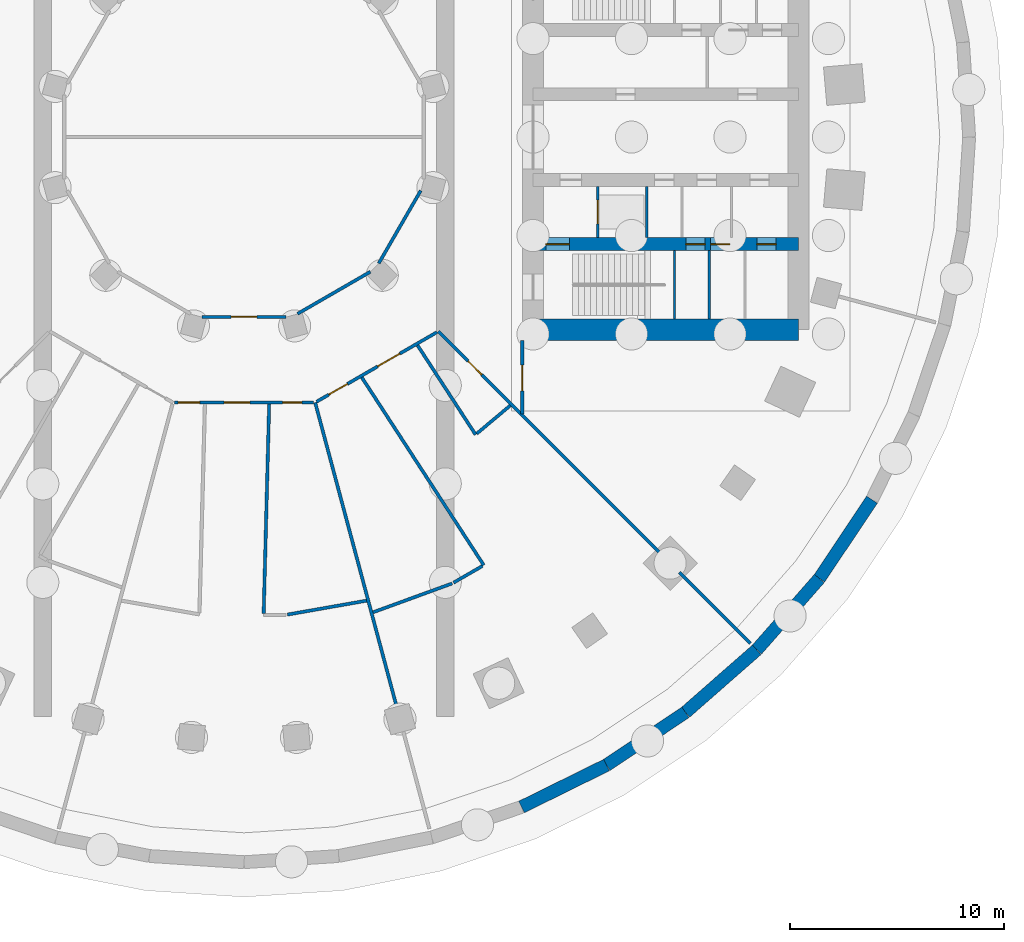
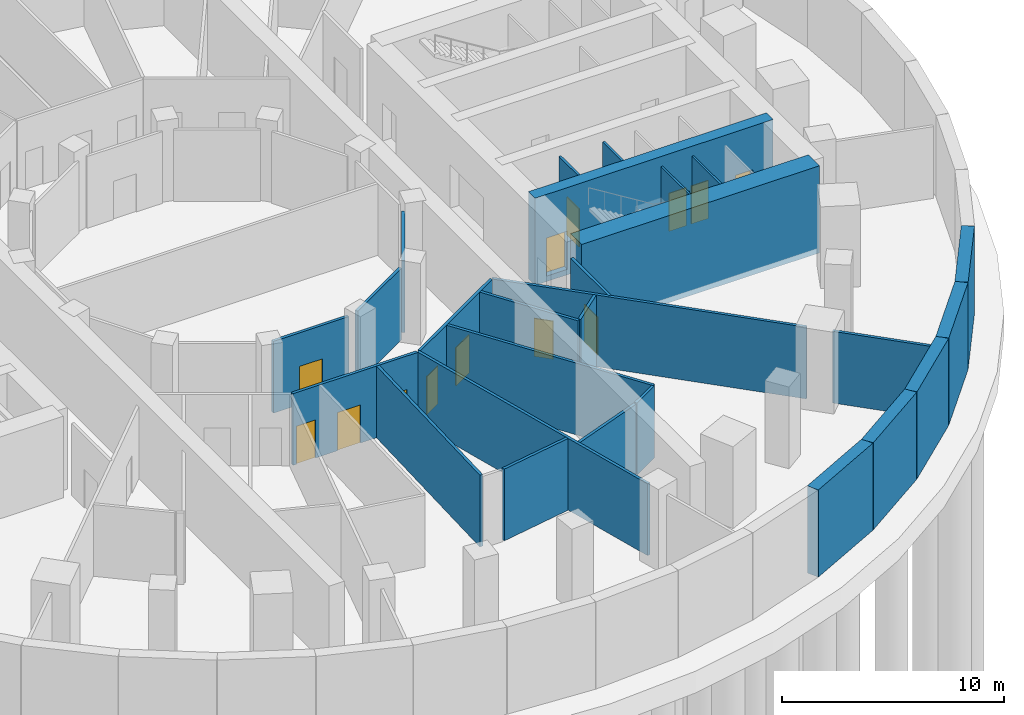
# One storey, part 4 of 10: 27 walls, 13 doors, 13 openings.
"""IFC4 building model written with IfcOpenShell, lengths in metres."""

from ifc_helpers import new_model, si_unit, direction, frame, frame_2d, origin, place, context, subcontext, project, spatial, rectangle, extrude, material, layer, layer_set, type_object, element, fill, save


model = new_model("IFC4")

# Units and contexts
model_context = context("Model", 3, precision=1e-05, world=origin(), true_north=direction((0.0, 1.0)))
body_context = subcontext(model_context, "Body", "Model", "MODEL_VIEW")
ifc_project = project(units=[si_unit("LENGTHUNIT", "METRE"), si_unit("AREAUNIT", "SQUARE_METRE"), si_unit("VOLUMEUNIT", "CUBIC_METRE"), si_unit("PLANEANGLEUNIT", "RADIAN"), si_unit("MASSUNIT", "GRAM", prefix="KILO")], contexts=[model_context])

# Site, building, storey
site_placement = place(None, origin())
site = spatial("IfcSite", under=ifc_project, at=site_placement, CompositionType="ELEMENT")
building_placement = place(site_placement, origin())
building = spatial("IfcBuilding", under=site, at=building_placement, Name="Saqina Gate Tower", CompositionType="ELEMENT")
storey_placement = place(building_placement, frame((0.0, 0.0, -9.0)))
storey = spatial("IfcBuildingStorey", under=building, at=storey_placement, Name="B2", CompositionType="ELEMENT", Elevation=-9.0)

# Wall
ifc_material_1 = material(Name="Gypsum board on steel studs", Category="steel")
ifc_layer_1 = layer(ifc_material_1, 0.10009765625)
ifc_layer_set_1 = layer_set([ifc_layer_1], Name="CORE PARTITION")
wall_type_1 = type_object("IfcWallType", Name="CORE PARTITION", PredefinedType="PARTITIONING", material=ifc_layer_set_1)
wall_1_placement = place(storey_placement, frame((21.73193359375, -8.5, 0.0), z_axis=(0.0, 0.0, 1.0), x_axis=(0.0, 1.0, 0.0)))
element("IfcWall", 1, at=wall_1_placement, inside=storey, type_object=wall_type_1, Name="B2-CP-E10", PredefinedType="PARTITIONING", context=body_context, shape_type="SweptSolid", body=[
    extrude(rectangle(XDim=3.199951171875, YDim=0.10009765625, at=frame_2d((1.60009765625, 0.0))), origin(), (0.0, 0.0, 1.0), 3.949951171875),
])

# Wall, opening, door
ifc_material_2 = material(Name="Autoclaved aerated concrete block", Category="concrete")
ifc_layer_2 = layer(ifc_material_2, 0.1201171875)
ifc_layer_set_2 = layer_set([ifc_layer_2], Name="SHAFT PARTITION")
wall_type_2 = type_object("IfcWallType", Name="SHAFT PARTITION", PredefinedType="PARTITIONING", material=ifc_layer_set_2)
wall_2_placement = place(storey_placement, frame((16.530029296875, -4.699951171875, 0.0), z_axis=(0.0, 0.0, 1.0), x_axis=(0.0, 1.0, 0.0)))
wall_2 = element("IfcWall", 2, at=wall_2_placement, inside=storey, type_object=wall_type_2, Name="B2-CP-E02", PredefinedType="PARTITIONING", context=body_context, shape_type="SweptSolid", body=[
    extrude(rectangle(XDim=2.39990234375, YDim=0.1201171875, at=frame_2d((1.199951171875, 0.0))), origin(), (0.0, 0.0, 1.0), 3.949951171875),
])
opening_1_placement = place(wall_2_placement, frame((0.64990234375, 0.0, 0.0)))
opening_1 = element("IfcOpeningElement", 3, at=opening_1_placement, cuts=wall_2, Name="Opening B2-LD1", PredefinedType="OPENING", context=body_context, shape_type="SweptSolid", body=[
    extrude(rectangle(XDim=1.10009765625, YDim=2.10009765625, at=frame_2d((0.550048828125, 1.050048828125))), frame((0.0, 0.072021484375, 0.0), z_axis=(0.0, -1.0, 0.0), x_axis=(1.0, 0.0, 0.0)), (0.0, 0.0, 1.0), 0.14404296875),
])
ifc_material_3 = material(Name="Stainless steel", Category="steel")
door_type_1 = type_object("IfcDoorType", Name="LANDING DOOR", OperationType="DOUBLE_DOOR_SLIDING", PredefinedType="DOOR", material=ifc_material_3)
door_1_placement = place(opening_1_placement, origin())
door_1 = element("IfcDoor", 4, at=door_1_placement, inside=storey, type_object=door_type_1, Name="LANDING DOOR FF1", OperationType="DOUBLE_DOOR_SLIDING", OverallHeight=2.10009765625, OverallWidth=1.10009765625, PredefinedType="DOOR", context=body_context, shape_type="SweptSolid", body=[
    extrude(rectangle(XDim=1.10009765625, YDim=2.10009765625, at=frame_2d((0.550048828125, 1.050048828125))), frame((0.0, 0.02490234375, 0.0), z_axis=(0.0, -1.0, 0.0), x_axis=(1.0, 0.0, 0.0)), (0.0, 0.0, 1.0), 0.050048828125),
])
fill(opening_1, door_1)

# Wall
wall_3_placement = place(storey_placement, frame((18.81005859375, -4.699951171875, 0.0), z_axis=(0.0, 0.0, 1.0), x_axis=(0.0, 1.0, 0.0)))
element("IfcWall", 5, at=wall_3_placement, inside=storey, type_object=wall_type_2, Name="B2-CP-E03", PredefinedType="PARTITIONING", context=body_context, shape_type="SweptSolid", body=[
    extrude(rectangle(XDim=2.39990234375, YDim=0.1201171875, at=frame_2d((1.199951171875, 0.0))), origin(), (0.0, 0.0, 1.0), 3.949951171875),
])

# Wall, opening, door
ifc_material_4 = material(Name="Gypsum board on steel studs, 150 mm, fire rated", Category="steel")
ifc_layer_3 = layer(ifc_material_4, 0.14990234375)
ifc_layer_set_3 = layer_set([ifc_layer_3], Name="SPECIAL PARTITION EI 30 150")
wall_type_3 = type_object("IfcWallType", Name="SPECIAL PARTITION EI 30 150", PredefinedType="PARTITIONING", material=ifc_layer_set_3)
wall_4_placement = place(storey_placement, frame((13.0, -12.925048828125, 0.0), z_axis=(0.0, 0.0, 1.0), x_axis=(0.0, 1.0, 0.0)))
wall_4 = element("IfcWall", 6, at=wall_4_placement, inside=storey, type_object=wall_type_3, Name="PARTITION 069", PredefinedType="PARTITIONING", context=body_context, shape_type="SweptSolid", body=[
    extrude(rectangle(XDim=3.425048828125, YDim=0.14990234375, at=frame_2d((1.71240234375, 0.0))), origin(), (0.0, 0.0, 1.0), 3.949951171875),
])
opening_2_placement = place(wall_4_placement, frame((1.074951171875, 0.0, 0.0)))
opening_2 = element("IfcOpeningElement", 7, at=opening_2_placement, cuts=wall_4, Name="Opening B2-D26", PredefinedType="OPENING", context=body_context, shape_type="SweptSolid", body=[
    extrude(rectangle(XDim=1.199951171875, YDim=2.10009765625, at=frame_2d((0.60009765625, 1.050048828125))), frame((0.0, 0.0869140625, 0.0), z_axis=(0.0, -1.0, 0.0), x_axis=(1.0, 0.0, 0.0)), (0.0, 0.0, 1.0), 0.173828125),
])
ifc_material_5 = material(Name="Steel-framed fire door leaf, EI 30", Category="steel")
door_type_2 = type_object("IfcDoorType", Name="SPECIAL DOOR 1200 FIRE EI 30", OperationType="SINGLE_SWING_LEFT", PredefinedType="DOOR", material=ifc_material_5)
door_2_placement = place(opening_2_placement, origin())
door_2 = element("IfcDoor", 8, at=door_2_placement, inside=storey, type_object=door_type_2, Name="DOOR B2-D26", OperationType="SINGLE_SWING_LEFT", OverallHeight=2.10009765625, OverallWidth=1.199951171875, PredefinedType="DOOR", context=body_context, shape_type="SweptSolid", body=[
    extrude(rectangle(XDim=1.199951171875, YDim=2.10009765625, at=frame_2d((0.60009765625, 1.050048828125))), frame((0.0, 0.02490234375, 0.0), z_axis=(0.0, -1.0, 0.0), x_axis=(1.0, 0.0, 0.0)), (0.0, 0.0, 1.0), 0.050048828125),
])
fill(opening_2, door_2)

# Walls
ifc_material_6 = material(Name="Masonry block and plaster, 150 mm, fire rated", Category="masonry")
ifc_layer_4 = layer(ifc_material_6, 0.14990234375)
ifc_layer_set_4 = layer_set([ifc_layer_4], Name="SPECIAL PARTITION EI 60 150")
wall_type_4 = type_object("IfcWallType", Name="SPECIAL PARTITION EI 60 150", PredefinedType="PARTITIONING", material=ifc_layer_set_4)
wall_5_placement = place(storey_placement, frame((3.322998046875, -12.39990234375, 0.0), z_axis=(0.0, 0.0, 1.0), x_axis=(0.258778692841, -0.965936637742, 0.0)))
element("IfcWall", 9, at=wall_5_placement, inside=storey, type_object=wall_type_4, Name="PARTITION 004", PredefinedType="PARTITIONING", context=body_context, shape_type="SweptSolid", body=[
    extrude(rectangle(XDim=14.702392578125, YDim=0.14990234375, at=frame_2d((7.35107421875, 0.0))), origin(), (0.0, 0.0, 1.0), 3.949951171875),
])
wall_6_placement = place(storey_placement, frame((5.502685546875, -11.227783203125, 0.0), z_axis=(0.0, 0.0, 1.0), x_axis=(0.544608428061, -0.83869044354, 0.0)))
element("IfcWall", 10, at=wall_6_placement, inside=storey, type_object=wall_type_4, Name="PARTITION 010", PredefinedType="PARTITIONING", context=body_context, shape_type="SweptSolid", body=[
    extrude(rectangle(XDim=10.45947265625, YDim=0.14990234375, at=frame_2d((5.229736328125, 0.0))), origin(), (0.0, 0.0, 1.0), 3.949951171875),
])
wall_7_placement = place(storey_placement, frame((8.10400390625, -9.725341796875, 0.0), z_axis=(0.0, 0.0, 1.0), x_axis=(0.544631430176, -0.838675506537, 0.0)))
element("IfcWall", 11, at=wall_7_placement, inside=storey, type_object=wall_type_4, Name="PARTITION 011", PredefinedType="PARTITIONING", context=body_context, shape_type="SweptSolid", body=[
    extrude(rectangle(XDim=4.9775390625, YDim=0.14990234375, at=frame_2d((2.48876953125, 0.0))), origin(), (0.0, 0.0, 1.0), 3.949951171875),
])

# Wall, opening, door
wall_8_placement = place(storey_placement, frame((9.076904296875, -9.076904296875, 0.0), z_axis=(0.0, 0.0, 1.0), x_axis=(0.707106781187, -0.707106781187, 0.0)))
wall_8 = element("IfcWall", 12, at=wall_8_placement, inside=storey, type_object=wall_type_4, Name="PARTITION 014", PredefinedType="PARTITIONING", context=body_context, shape_type="SweptSolid", body=[
    extrude(rectangle(XDim=14.703125, YDim=0.14990234375, at=frame_2d((7.3515625, 0.0))), origin(), (0.0, 0.0, 1.0), 3.949951171875),
])
opening_3_placement = place(wall_8_placement, frame((1.965576171875, 0.0, 0.0)))
opening_3 = element("IfcOpeningElement", 13, at=opening_3_placement, cuts=wall_8, Name="Opening B2-D25", PredefinedType="OPENING", context=body_context, shape_type="SweptSolid", body=[
    extrude(rectangle(XDim=0.89990234375, YDim=2.10009765625, at=frame_2d((0.449951171875, 1.050048828125))), frame((0.0, 0.0869140625, 0.0), z_axis=(0.0, -1.0, 0.0), x_axis=(1.0, 0.0, 0.0)), (0.0, 0.0, 1.0), 0.173828125),
])
ifc_material_7 = material(Name="Steel-framed fire door leaf, EI 60", Category="steel")
door_type_3 = type_object("IfcDoorType", Name="SPECIAL DOOR 900 FIRE EI 60", OperationType="SINGLE_SWING_LEFT", PredefinedType="DOOR", material=ifc_material_7)
door_3_placement = place(opening_3_placement, frame((0.89990234375, 0.0, 0.0), z_axis=(0.0, 0.0, 1.0), x_axis=(-1.0, 0.0, 0.0)))
door_3 = element("IfcDoor", 14, at=door_3_placement, inside=storey, type_object=door_type_3, Name="DOOR B2-D25", OperationType="SINGLE_SWING_RIGHT", OverallHeight=2.10009765625, OverallWidth=0.89990234375, PredefinedType="DOOR", context=body_context, shape_type="SweptSolid", body=[
    extrude(rectangle(XDim=0.89990234375, YDim=2.10009765625, at=frame_2d((0.449951171875, 1.050048828125))), frame((0.0, 0.02490234375, 0.0), z_axis=(0.0, -1.0, 0.0), x_axis=(1.0, 0.0, 0.0)), (0.0, 0.0, 1.0), 0.050048828125),
])
fill(opening_3, door_3)

# Wall
wall_9_placement = place(storey_placement, frame((20.33642578125, -20.33642578125, 0.0), z_axis=(0.0, 0.0, 1.0), x_axis=(0.707106781187, -0.707106781187, 0.0)))
element("IfcWall", 15, at=wall_9_placement, inside=storey, type_object=wall_type_4, Name="PARTITION 015", PredefinedType="PARTITIONING", context=body_context, shape_type="SweptSolid", body=[
    extrude(rectangle(XDim=4.687255859375, YDim=0.14990234375, at=frame_2d((2.34375, 0.0))), origin(), (0.0, 0.0, 1.0), 3.949951171875),
])

# Wall, openings, doors
wall_10_placement = place(storey_placement, frame((-3.248046875, -12.39990234375, 0.0), z_axis=(0.0, 0.0, 1.0), x_axis=(1.0, 0.0, 0.0)))
wall_10 = element("IfcWall", 16, at=wall_10_placement, inside=storey, type_object=wall_type_4, Name="PARTITION 032", PredefinedType="PARTITIONING", context=body_context, shape_type="SweptSolid", body=[
    extrude(rectangle(XDim=6.49609375, YDim=0.14990234375, at=frame_2d((3.248046875, 0.0))), origin(), (0.0, 0.0, 1.0), 3.949951171875),
])
opening_4_placement = place(wall_10_placement, frame((0.174072265625, 0.0, 0.0)))
opening_4 = element("IfcOpeningElement", 17, at=opening_4_placement, cuts=wall_10, Name="Opening B2-D19", PredefinedType="OPENING", context=body_context, shape_type="SweptSolid", body=[
    extrude(rectangle(XDim=1.0, YDim=2.10009765625, at=frame_2d((0.5, 1.050048828125))), frame((0.0, 0.0869140625, 0.0), z_axis=(0.0, -1.0, 0.0), x_axis=(1.0, 0.0, 0.0)), (0.0, 0.0, 1.0), 0.173828125),
])
opening_5_placement = place(wall_10_placement, frame((2.323486328125, 0.0, 0.0)))
opening_5 = element("IfcOpeningElement", 18, at=opening_5_placement, cuts=wall_10, Name="Opening B2-D20", PredefinedType="OPENING", context=body_context, shape_type="SweptSolid", body=[
    extrude(rectangle(XDim=1.199951171875, YDim=2.10009765625, at=frame_2d((0.60009765625, 1.050048828125))), frame((0.0, 0.0869140625, 0.0), z_axis=(0.0, -1.0, 0.0), x_axis=(1.0, 0.0, 0.0)), (0.0, 0.0, 1.0), 0.173828125),
])
opening_6_placement = place(wall_10_placement, frame((5.047607421875, 0.0, 0.0)))
opening_6 = element("IfcOpeningElement", 19, at=opening_6_placement, cuts=wall_10, Name="Opening B2-D22", PredefinedType="OPENING", context=body_context, shape_type="SweptSolid", body=[
    extrude(rectangle(XDim=0.89990234375, YDim=2.10009765625, at=frame_2d((0.449951171875, 1.050048828125))), frame((0.0, 0.0869140625, 0.0), z_axis=(0.0, -1.0, 0.0), x_axis=(1.0, 0.0, 0.0)), (0.0, 0.0, 1.0), 0.173828125),
])
ifc_material_8 = material(Name="Steel-framed fire door leaf, EI 60", Category="steel")
door_type_4 = type_object("IfcDoorType", Name="SPECIAL DOOR 1000 FIRE EI 60", OperationType="SINGLE_SWING_LEFT", PredefinedType="DOOR", material=ifc_material_8)
door_4_placement = place(opening_4_placement, frame((1.0, 0.0, 0.0), z_axis=(0.0, 0.0, 1.0), x_axis=(-1.0, 0.0, 0.0)))
door_4 = element("IfcDoor", 20, at=door_4_placement, inside=storey, type_object=door_type_4, Name="DOOR B2-D19", OperationType="SINGLE_SWING_RIGHT", OverallHeight=2.10009765625, OverallWidth=1.0, PredefinedType="DOOR", context=body_context, shape_type="SweptSolid", body=[
    extrude(rectangle(XDim=1.0, YDim=2.10009765625, at=frame_2d((0.5, 1.050048828125))), frame((0.0, 0.02490234375, 0.0), z_axis=(0.0, -1.0, 0.0), x_axis=(1.0, 0.0, 0.0)), (0.0, 0.0, 1.0), 0.050048828125),
])
fill(opening_4, door_4)
ifc_material_9 = material(Name="Steel-framed fire door leaf, EI 60", Category="steel")
door_type_5 = type_object("IfcDoorType", Name="SPECIAL DOOR 1200 FIRE EI 60", OperationType="SINGLE_SWING_LEFT", PredefinedType="DOOR", material=ifc_material_9)
door_5_placement = place(opening_5_placement, origin())
door_5 = element("IfcDoor", 21, at=door_5_placement, inside=storey, type_object=door_type_5, Name="DOOR B2-D20", OperationType="SINGLE_SWING_LEFT", OverallHeight=2.10009765625, OverallWidth=1.199951171875, PredefinedType="DOOR", context=body_context, shape_type="SweptSolid", body=[
    extrude(rectangle(XDim=1.199951171875, YDim=2.10009765625, at=frame_2d((0.60009765625, 1.050048828125))), frame((0.0, 0.02490234375, 0.0), z_axis=(0.0, -1.0, 0.0), x_axis=(1.0, 0.0, 0.0)), (0.0, 0.0, 1.0), 0.050048828125),
])
fill(opening_5, door_5)
door_6_placement = place(opening_6_placement, frame((0.89990234375, 0.0, 0.0), z_axis=(0.0, 0.0, 1.0), x_axis=(-1.0, 0.0, 0.0)))
door_6 = element("IfcDoor", 22, at=door_6_placement, inside=storey, type_object=door_type_3, Name="DOOR B2-D22", OperationType="SINGLE_SWING_RIGHT", OverallHeight=2.10009765625, OverallWidth=0.89990234375, PredefinedType="DOOR", context=body_context, shape_type="SweptSolid", body=[
    extrude(rectangle(XDim=0.89990234375, YDim=2.10009765625, at=frame_2d((0.449951171875, 1.050048828125))), frame((0.0, 0.02490234375, 0.0), z_axis=(0.0, -1.0, 0.0), x_axis=(1.0, 0.0, 0.0)), (0.0, 0.0, 1.0), 0.050048828125),
])
fill(opening_6, door_6)

# Wall, opening, door
wall_11_placement = place(storey_placement, frame((-1.96435546875, -8.39990234375, 0.0), z_axis=(0.0, 0.0, 1.0), x_axis=(1.0, 0.0, 0.0)))
wall_11 = element("IfcWall", 23, at=wall_11_placement, inside=storey, type_object=wall_type_4, Name="PARTITION 033", PredefinedType="PARTITIONING", context=body_context, shape_type="SweptSolid", body=[
    extrude(rectangle(XDim=3.9287109375, YDim=0.14990234375, at=frame_2d((1.96435546875, 0.0))), origin(), (0.0, 0.0, 1.0), 3.949951171875),
])
opening_7_placement = place(wall_11_placement, frame((1.364501953125, 0.0, 0.0)))
opening_7 = element("IfcOpeningElement", 24, at=opening_7_placement, cuts=wall_11, Name="Opening B2-D21", PredefinedType="OPENING", context=body_context, shape_type="SweptSolid", body=[
    extrude(rectangle(XDim=1.199951171875, YDim=2.10009765625, at=frame_2d((0.60009765625, 1.050048828125))), frame((0.0, 0.0869140625, 0.0), z_axis=(0.0, -1.0, 0.0), x_axis=(1.0, 0.0, 0.0)), (0.0, 0.0, 1.0), 0.173828125),
])
door_7_placement = place(opening_7_placement, frame((1.199951171875, 0.0, 0.0), z_axis=(0.0, 0.0, 1.0), x_axis=(-1.0, 0.0, 0.0)))
door_7 = element("IfcDoor", 25, at=door_7_placement, inside=storey, type_object=door_type_5, Name="DOOR B2-D21", OperationType="SINGLE_SWING_LEFT", OverallHeight=2.10009765625, OverallWidth=1.199951171875, PredefinedType="DOOR", context=body_context, shape_type="SweptSolid", body=[
    extrude(rectangle(XDim=1.199951171875, YDim=2.10009765625, at=frame_2d((0.60009765625, 1.050048828125))), frame((0.0, 0.02490234375, 0.0), z_axis=(0.0, -1.0, 0.0), x_axis=(1.0, 0.0, 0.0)), (0.0, 0.0, 1.0), 0.050048828125),
])
fill(opening_7, door_7)

# Walls
wall_12_placement = place(storey_placement, frame((2.02685546875, -22.306884765625, 0.0), z_axis=(0.0, 0.0, 1.0), x_axis=(0.984818881161, 0.173585054971, 0.0)))
element("IfcWall", 26, at=wall_12_placement, inside=storey, type_object=wall_type_4, Name="PARTITION 039", PredefinedType="PARTITIONING", context=body_context, shape_type="SweptSolid", body=[
    extrude(rectangle(XDim=3.75537109375, YDim=0.14990234375, at=frame_2d((1.877685546875, 0.0))), origin(), (0.0, 0.0, 1.0), 3.949951171875),
])
wall_13_placement = place(storey_placement, frame((6.025390625, -22.1982421875, 0.0), z_axis=(0.0, 0.0, 1.0), x_axis=(0.9396592995, 0.342111678933, 0.0)))
element("IfcWall", 27, at=wall_13_placement, inside=storey, type_object=wall_type_4, Name="PARTITION 043", PredefinedType="PARTITIONING", context=body_context, shape_type="SweptSolid", body=[
    extrude(rectangle(XDim=3.93505859375, YDim=0.14990234375, at=frame_2d((1.967529296875, 0.0))), origin(), (0.0, 0.0, 1.0), 3.949951171875),
])
wall_14_placement = place(storey_placement, frame((9.7880859375, -20.814453125, 0.0), z_axis=(0.0, 0.0, 1.0), x_axis=(0.866088799389, 0.499890179513, 0.0)))
element("IfcWall", 28, at=wall_14_placement, inside=storey, type_object=wall_type_4, Name="PARTITION 045", PredefinedType="PARTITIONING", context=body_context, shape_type="SweptSolid", body=[
    extrude(rectangle(XDim=1.553955078125, YDim=0.14990234375, at=frame_2d((0.77685546875, 0.0))), origin(), (0.0, 0.0, 1.0), 3.949951171875),
])

# Wall, openings, doors
wall_15_placement = place(storey_placement, frame((3.387939453125, -12.362548828125, 0.0), z_axis=(0.0, 0.0, 1.0), x_axis=(0.865967095912, 0.5001009786, 0.0)))
wall_15 = element("IfcWall", 29, at=wall_15_placement, inside=storey, type_object=wall_type_4, Name="PARTITION 046", PredefinedType="PARTITIONING", context=body_context, shape_type="SweptSolid", body=[
    extrude(rectangle(XDim=6.494873046875, YDim=0.14990234375, at=frame_2d((3.24755859375, 0.0))), origin(), (0.0, 0.0, 1.0), 3.949951171875),
])
opening_8_placement = place(wall_15_placement, frame((0.659912109375, 0.0, 0.0)))
opening_8 = element("IfcOpeningElement", 30, at=opening_8_placement, cuts=wall_15, Name="Opening B2-D23", PredefinedType="OPENING", context=body_context, shape_type="SweptSolid", body=[
    extrude(rectangle(XDim=1.0, YDim=2.10009765625, at=frame_2d((0.5, 1.050048828125))), frame((0.0, 0.0869140625, 0.0), z_axis=(0.0, -1.0, 0.0), x_axis=(1.0, 0.0, 0.0)), (0.0, 0.0, 1.0), 0.173828125),
])
opening_9_placement = place(wall_15_placement, frame((3.296875, 0.0, 0.0)))
opening_9 = element("IfcOpeningElement", 31, at=opening_9_placement, cuts=wall_15, Name="Opening B2-D24", PredefinedType="OPENING", context=body_context, shape_type="SweptSolid", body=[
    extrude(rectangle(XDim=1.199951171875, YDim=2.10009765625, at=frame_2d((0.60009765625, 1.050048828125))), frame((0.0, 0.0869140625, 0.0), z_axis=(0.0, -1.0, 0.0), x_axis=(1.0, 0.0, 0.0)), (0.0, 0.0, 1.0), 0.173828125),
])
door_8_placement = place(opening_8_placement, frame((1.0, 0.0, 0.0), z_axis=(0.0, 0.0, 1.0), x_axis=(-1.0, 0.0, 0.0)))
door_8 = element("IfcDoor", 32, at=door_8_placement, inside=storey, type_object=door_type_4, Name="DOOR B2-D23", OperationType="SINGLE_SWING_RIGHT", OverallHeight=2.10009765625, OverallWidth=1.0, PredefinedType="DOOR", context=body_context, shape_type="SweptSolid", body=[
    extrude(rectangle(XDim=1.0, YDim=2.10009765625, at=frame_2d((0.5, 1.050048828125))), frame((0.0, 0.02490234375, 0.0), z_axis=(0.0, -1.0, 0.0), x_axis=(1.0, 0.0, 0.0)), (0.0, 0.0, 1.0), 0.050048828125),
])
fill(opening_8, door_8)
door_9_placement = place(opening_9_placement, origin())
door_9 = element("IfcDoor", 33, at=door_9_placement, inside=storey, type_object=door_type_5, Name="DOOR B2-D24", OperationType="SINGLE_SWING_RIGHT", OverallHeight=2.10009765625, OverallWidth=1.199951171875, PredefinedType="DOOR", context=body_context, shape_type="SweptSolid", body=[
    extrude(rectangle(XDim=1.199951171875, YDim=2.10009765625, at=frame_2d((0.60009765625, 1.050048828125))), frame((0.0, 0.02490234375, 0.0), z_axis=(0.0, -1.0, 0.0), x_axis=(1.0, 0.0, 0.0)), (0.0, 0.0, 1.0), 0.050048828125),
])
fill(opening_9, door_9)

# Walls
wall_16_placement = place(storey_placement, frame((2.4990234375, -8.256591796875, 0.0), z_axis=(0.0, 0.0, 1.0), x_axis=(0.865990036525, 0.500061252887, 0.0)))
element("IfcWall", 34, at=wall_16_placement, inside=storey, type_object=wall_type_4, Name="PARTITION 047", PredefinedType="PARTITIONING", context=body_context, shape_type="SweptSolid", body=[
    extrude(rectangle(XDim=3.9296875, YDim=0.14990234375, at=frame_2d((1.96484375, 0.0))), origin(), (0.0, 0.0, 1.0), 3.949951171875),
])
wall_17_placement = place(storey_placement, frame((10.87255859375, -13.851806640625, 0.0), z_axis=(0.0, 0.0, 1.0), x_axis=(0.766275182877, 0.642512524474, 0.0)))
element("IfcWall", 35, at=wall_17_placement, inside=storey, type_object=wall_type_4, Name="PARTITION 051", PredefinedType="PARTITIONING", context=body_context, shape_type="SweptSolid", body=[
    extrude(rectangle(XDim=2.039794921875, YDim=0.14990234375, at=frame_2d((1.02001953125, 0.0))), origin(), (0.0, 0.0, 1.0), 3.949951171875),
])
wall_18_placement = place(storey_placement, frame((6.29150390625, -5.902099609375, 0.0), z_axis=(0.0, 0.0, 1.0), x_axis=(0.500061252887, 0.865990036525, 0.0)))
element("IfcWall", 36, at=wall_18_placement, inside=storey, type_object=wall_type_4, Name="PARTITION 059", PredefinedType="PARTITIONING", context=body_context, shape_type="SweptSolid", body=[
    extrude(rectangle(XDim=3.9296875, YDim=0.14990234375, at=frame_2d((1.96484375, 0.0))), origin(), (0.0, 0.0, 1.0), 3.949951171875),
])
wall_19_placement = place(storey_placement, frame((0.91796875, -22.2451171875, 0.0), z_axis=(0.0, 0.0, 1.0), x_axis=(0.02620420273, 0.999656610922, 0.0)))
element("IfcWall", 37, at=wall_19_placement, inside=storey, type_object=wall_type_4, Name="PARTITION 067", PredefinedType="PARTITIONING", context=body_context, shape_type="SweptSolid", body=[
    extrude(rectangle(XDim=9.7734375, YDim=0.14990234375, at=frame_2d((4.88671875, 0.0))), origin(), (0.0, 0.0, 1.0), 3.949951171875),
])
ifc_material_10 = material(Name="Autoclaved aerated concrete block", Category="concrete")
ifc_layer_5 = layer(ifc_material_10, 0.10009765625)
ifc_layer_set_5 = layer_set([ifc_layer_5], Name="STAIR ENCLOSURE WALL")
wall_type_5 = type_object("IfcWallType", Name="STAIR ENCLOSURE WALL", PredefinedType="PARTITIONING", material=ifc_layer_set_5)
wall_20_placement = place(storey_placement, frame((20.110107421875, -8.5, 0.0), z_axis=(0.0, 0.0, 1.0), x_axis=(0.0, 1.0, 0.0)))
element("IfcWall", 38, at=wall_20_placement, inside=storey, type_object=wall_type_5, Name="B2-CP-E09", PredefinedType="PARTITIONING", context=body_context, shape_type="SweptSolid", body=[
    extrude(rectangle(XDim=3.199951171875, YDim=0.10009765625, at=frame_2d((1.60009765625, 0.0))), origin(), (0.0, 0.0, 1.0), 3.949951171875),
])

# Wall, openings, doors
ifc_material_11 = material(Name="Concrete C70/85", Category="concrete")
ifc_layer_6 = layer(ifc_material_11, 0.60009765625)
ifc_layer_set_6 = layer_set([ifc_layer_6], Name="Concrete C70/85")
wall_type_6 = type_object("IfcWallType", Name="STR-CORE WALL-P-I", PredefinedType="SHEAR", material=ifc_layer_set_6)
wall_21_placement = place(storey_placement, frame((13.5, -5.0, -0.300048828125), z_axis=(0.0, 0.0, 1.0), x_axis=(1.0, 0.0, 0.0)))
wall_21 = element("IfcWall", 39, at=wall_21_placement, inside=storey, type_object=wall_type_6, Name="CORE WALL B2 E-X2", PredefinedType="SHEAR", context=body_context, shape_type="SweptSolid", body=[
    extrude(rectangle(XDim=12.39990234375, YDim=0.60009765625, at=frame_2d((6.199951171875, 0.0))), origin(), (0.0, 0.0, 1.0), 4.800048828125),
])
opening_10_placement = place(wall_21_placement, frame((7.144775390625, 0.0, 0.300048828125)))
opening_10 = element("IfcOpeningElement", 40, at=opening_10_placement, cuts=wall_21, Name="Opening B2-D99", PredefinedType="OPENING", context=body_context, shape_type="SweptSolid", body=[
    extrude(rectangle(XDim=0.89990234375, YDim=2.10009765625, at=frame_2d((0.449951171875, 1.050048828125))), frame((0.0, 0.31201171875, 0.0), z_axis=(0.0, -1.0, 0.0), x_axis=(1.0, 0.0, 0.0)), (0.0, 0.0, 1.0), 0.6240234375),
])
opening_11_placement = place(wall_21_placement, frame((8.298095703125, 0.0, 0.300048828125)))
opening_11 = element("IfcOpeningElement", 41, at=opening_11_placement, cuts=wall_21, Name="Opening B2-D100", PredefinedType="OPENING", context=body_context, shape_type="SweptSolid", body=[
    extrude(rectangle(XDim=0.89990234375, YDim=2.10009765625, at=frame_2d((0.449951171875, 1.050048828125))), frame((0.0, 0.31201171875, 0.0), z_axis=(0.0, -1.0, 0.0), x_axis=(1.0, 0.0, 0.0)), (0.0, 0.0, 1.0), 0.6240234375),
])
opening_12_placement = place(wall_21_placement, frame((10.454345703125, 0.0, 0.300048828125)))
opening_12 = element("IfcOpeningElement", 42, at=opening_12_placement, cuts=wall_21, Name="Opening B2-D101", PredefinedType="OPENING", context=body_context, shape_type="SweptSolid", body=[
    extrude(rectangle(XDim=0.89990234375, YDim=2.10009765625, at=frame_2d((0.449951171875, 1.050048828125))), frame((0.0, 0.31201171875, 0.0), z_axis=(0.0, -1.0, 0.0), x_axis=(1.0, 0.0, 0.0)), (0.0, 0.0, 1.0), 0.6240234375),
])
opening_13_placement = place(wall_21_placement, frame((0.60009765625, 0.0, 0.300048828125)))
opening_13 = element("IfcOpeningElement", 43, at=opening_13_placement, cuts=wall_21, Name="Opening B2-D102", PredefinedType="OPENING", context=body_context, shape_type="SweptSolid", body=[
    extrude(rectangle(XDim=1.10009765625, YDim=2.10009765625, at=frame_2d((0.550048828125, 1.050048828125))), frame((0.0, 0.31201171875, 0.0), z_axis=(0.0, -1.0, 0.0), x_axis=(1.0, 0.0, 0.0)), (0.0, 0.0, 1.0), 0.6240234375),
])
ifc_material_12 = material(Name="Steel", Category="steel")
door_type_6 = type_object("IfcDoorType", Name="FIRE LOBBY DOOR EI 60 WIDE", OperationType="SINGLE_SWING_LEFT", PredefinedType="DOOR", material=ifc_material_12)
door_10_placement = place(opening_13_placement, frame((1.10009765625, 0.0, 0.0), z_axis=(0.0, 0.0, 1.0), x_axis=(-1.0, 0.0, 0.0)))
door_10 = element("IfcDoor", 44, at=door_10_placement, inside=storey, type_object=door_type_6, Name="B2-CD-E13", OperationType="SINGLE_SWING_RIGHT", OverallHeight=2.10009765625, OverallWidth=1.10009765625, PredefinedType="DOOR", context=body_context, shape_type="SweptSolid", body=[
    extrude(rectangle(XDim=1.10009765625, YDim=2.10009765625, at=frame_2d((0.550048828125, 1.050048828125))), frame((0.0, 0.02490234375, 0.0), z_axis=(0.0, -1.0, 0.0), x_axis=(1.0, 0.0, 0.0)), (0.0, 0.0, 1.0), 0.050048828125),
])
fill(opening_13, door_10)
ifc_material_13 = material(Name="Steel-framed fire door leaf, EI 60", Category="steel")
door_type_7 = type_object("IfcDoorType", Name="SERVICE ROOM DOOR 900", OperationType="SINGLE_SWING_LEFT", PredefinedType="DOOR", material=ifc_material_13)
door_11_placement = place(opening_10_placement, origin())
door_11 = element("IfcDoor", 45, at=door_11_placement, inside=storey, type_object=door_type_7, Name="B2-CD-E10", OperationType="SINGLE_SWING_LEFT", OverallHeight=2.10009765625, OverallWidth=0.89990234375, PredefinedType="DOOR", context=body_context, shape_type="SweptSolid", body=[
    extrude(rectangle(XDim=0.89990234375, YDim=2.10009765625, at=frame_2d((0.449951171875, 1.050048828125))), frame((0.0, 0.02490234375, 0.0), z_axis=(0.0, -1.0, 0.0), x_axis=(1.0, 0.0, 0.0)), (0.0, 0.0, 1.0), 0.050048828125),
])
fill(opening_10, door_11)
door_12_placement = place(opening_11_placement, origin())
door_12 = element("IfcDoor", 46, at=door_12_placement, inside=storey, type_object=door_type_7, Name="B2-CD-E11", OperationType="SINGLE_SWING_RIGHT", OverallHeight=2.10009765625, OverallWidth=0.89990234375, PredefinedType="DOOR", context=body_context, shape_type="SweptSolid", body=[
    extrude(rectangle(XDim=0.89990234375, YDim=2.10009765625, at=frame_2d((0.449951171875, 1.050048828125))), frame((0.0, 0.02490234375, 0.0), z_axis=(0.0, -1.0, 0.0), x_axis=(1.0, 0.0, 0.0)), (0.0, 0.0, 1.0), 0.050048828125),
])
fill(opening_11, door_12)
door_13_placement = place(opening_12_placement, frame((0.89990234375, 0.0, 0.0), z_axis=(0.0, 0.0, 1.0), x_axis=(-1.0, 0.0, 0.0)))
door_13 = element("IfcDoor", 47, at=door_13_placement, inside=storey, type_object=door_type_7, Name="B2-CD-E12", OperationType="SINGLE_SWING_RIGHT", OverallHeight=2.10009765625, OverallWidth=0.89990234375, PredefinedType="DOOR", context=body_context, shape_type="SweptSolid", body=[
    extrude(rectangle(XDim=0.89990234375, YDim=2.10009765625, at=frame_2d((0.449951171875, 1.050048828125))), frame((0.0, 0.02490234375, 0.0), z_axis=(0.0, -1.0, 0.0), x_axis=(1.0, 0.0, 0.0)), (0.0, 0.0, 1.0), 0.050048828125),
])
fill(opening_12, door_13)

# Walls
ifc_material_14 = material(Name="Concrete C70/85", Category="concrete")
ifc_layer_7 = layer(ifc_material_14, 1.0)
ifc_layer_set_7 = layer_set([ifc_layer_7], Name="Concrete C70/85")
wall_type_7 = type_object("IfcWallType", Name="STR-CORE WALL-P-O", PredefinedType="SHEAR", material=ifc_layer_set_7)
wall_22_placement = place(storey_placement, frame((13.5, -9.0, -0.300048828125), z_axis=(0.0, 0.0, 1.0), x_axis=(1.0, 0.0, 0.0)))
element("IfcWall", 48, at=wall_22_placement, inside=storey, type_object=wall_type_7, Name="CORE WALL B2 E-SE", PredefinedType="SHEAR", context=body_context, shape_type="SweptSolid", body=[
    extrude(rectangle(XDim=12.39990234375, YDim=1.0, at=frame_2d((6.199951171875, 0.0))), origin(), (0.0, 0.0, 1.0), 4.800048828125),
])
ifc_material_15 = material(Name="Concrete C40/50", Category="concrete")
ifc_layer_8 = layer(ifc_material_15, 0.60009765625)
ifc_layer_set_8 = layer_set([ifc_layer_8], Name="Concrete C40/50")
wall_type_8 = type_object("IfcWallType", Name="STR-WALL-RETAINING", PredefinedType="SOLIDWALL", material=ifc_layer_set_8)
for number, where, z_axis, x_axis, name in (
    (49, (12.96240234375, -31.294189453125, -0.300048828125), (0.0, 0.0, 1.0), (0.896871169992, 0.442291876975, 0.0), "BASEMENT RETAINING WALL 40"),
    (50, (16.936279296875, -29.33447265625, -0.300048828125), (0.0, 0.0, 1.0), (0.831464919904, 0.555577255626, 0.0), "BASEMENT RETAINING WALL 41"),
):
    element("IfcWall", number, at=place(storey_placement, frame(where, z_axis=z_axis, x_axis=x_axis)), inside=storey, type_object=wall_type_8, Name=name, PredefinedType="SOLIDWALL", context=body_context, shape_type="SweptSolid", body=[
        extrude(rectangle(XDim=4.430908203125, YDim=0.60009765625, at=frame_2d((2.21533203125, 0.0))), origin(), (0.0, 0.0, 1.0), 4.800048828125),
    ])
for number, where, z_axis, x_axis, name in (
    (51, (20.620361328125, -26.872802734375, -0.300048828125), (0.0, 0.0, 1.0), (0.751825244185, 0.659362420985, 0.0), "BASEMENT RETAINING WALL 42"),
    (52, (23.951416015625, -23.951416015625, -0.300048828125), (0.0, 0.0, 1.0), (0.659362420985, 0.751825244185, 0.0), "BASEMENT RETAINING WALL 43"),
):
    element("IfcWall", number, at=place(storey_placement, frame(where, z_axis=z_axis, x_axis=x_axis)), inside=storey, type_object=wall_type_8, Name=name, PredefinedType="SOLIDWALL", context=body_context, shape_type="SweptSolid", body=[
        extrude(rectangle(XDim=4.4306640625, YDim=0.60009765625, at=frame_2d((2.21533203125, 0.0))), origin(), (0.0, 0.0, 1.0), 4.800048828125),
    ])
wall_23_placement = place(storey_placement, frame((26.872802734375, -20.620361328125, -0.300048828125), z_axis=(0.0, 0.0, 1.0), x_axis=(0.555577255626, 0.831464919904, 0.0)))
element("IfcWall", 53, at=wall_23_placement, inside=storey, type_object=wall_type_8, Name="BASEMENT RETAINING WALL 44", PredefinedType="SOLIDWALL", context=body_context, shape_type="SweptSolid", body=[
    extrude(rectangle(XDim=4.430908203125, YDim=0.60009765625, at=frame_2d((2.21533203125, 0.0))), origin(), (0.0, 0.0, 1.0), 4.800048828125),
])

save(model, "model.ifc")
